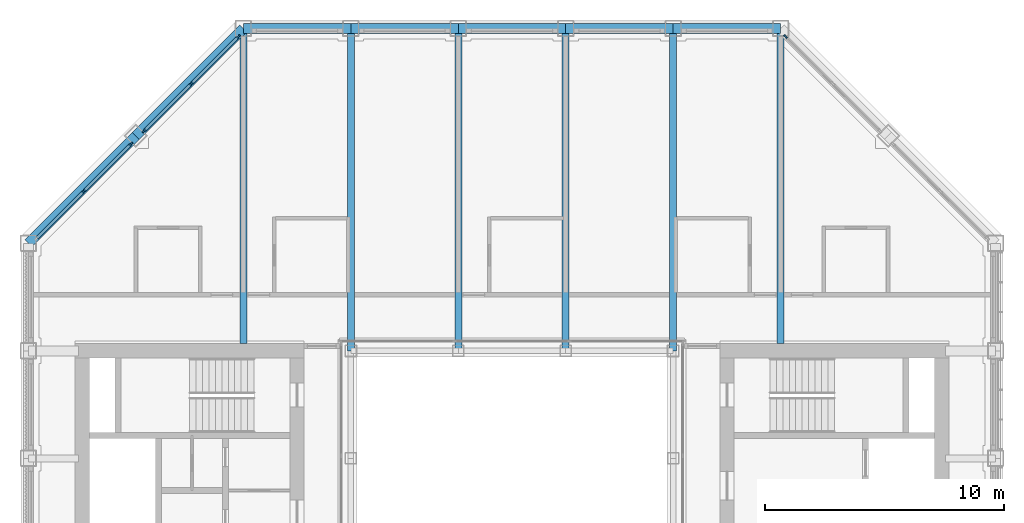
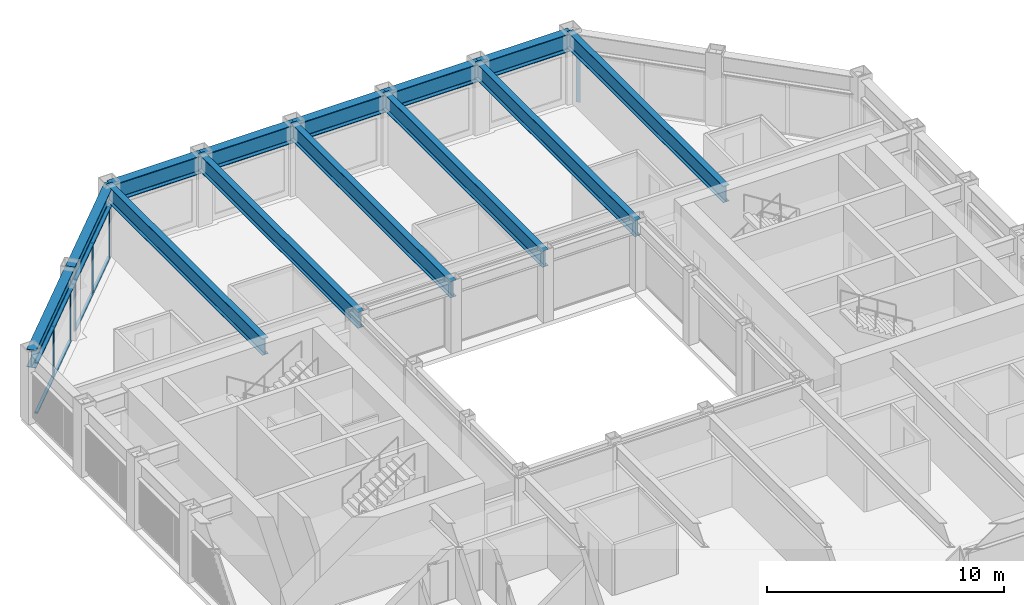
# One storey, part 6 of 16: 14 members, 13 beams, 3 elements without a shape of their own.
"""IFC4 building model written with IfcOpenShell, lengths in metres."""

from ifc_helpers import new_model, si_unit, direction, frame, origin, origin_2d, place, context, subcontext, project, spatial, rectangle, i_section, extrude, material, material_profile, profile_set, type_object, element, aggregate, save


model = new_model("IFC4")

# Units and contexts
model_context = context("Model", 3, precision=1e-05, world=origin(), true_north=direction((0.0, 1.0)))
body_context = subcontext(model_context, "Body", "Model", "MODEL_VIEW")
ifc_project = project(units=[si_unit("LENGTHUNIT", "METRE"), si_unit("AREAUNIT", "SQUARE_METRE"), si_unit("VOLUMEUNIT", "CUBIC_METRE"), si_unit("PLANEANGLEUNIT", "RADIAN"), si_unit("MASSUNIT", "GRAM", prefix="KILO")], contexts=[model_context])

# Site, building, storey
site_placement = place(None, origin())
site = spatial("IfcSite", under=ifc_project, at=site_placement, CompositionType="ELEMENT")
building_placement = place(site_placement, origin())
building = spatial("IfcBuilding", under=site, at=building_placement, Name="Msasa Ring Tower", CompositionType="ELEMENT")
storey_placement = place(building_placement, frame((0.0, 0.0, 212.050048828125)))
storey = spatial("IfcBuildingStorey", under=building, at=storey_placement, Name="L55", CompositionType="ELEMENT", Elevation=212.050048828125)

# Curtain wall, member
ifc_material_1 = material(Name="Aluminium curtain wall with clear glass", Category="aluminium")
curtain_wall_type = type_object("IfcCurtainWallType", Name="CW-C CHAMFER CORNER CURTAIN WALL", PredefinedType="NOTDEFINED", material=ifc_material_1)
curtain_wall_1_placement = place(storey_placement, origin())
curtain_wall_1 = element("IfcCurtainWall", 1, at=curtain_wall_1_placement, inside=storey, type_object=curtain_wall_type, Name="Chamfer corner curtain wall NE L55", PredefinedType="NOTDEFINED")
ifc_material_2 = material(Name="Aluminium mullion", Category="aluminium")
ifc_material_profile_1 = material_profile(ifc_material_2, rectangle(XDim=0.06494140625, YDim=0.179931640625, at=origin_2d()), Name="AL 65x180")
ifc_profile_set_1 = profile_set([ifc_material_profile_1], Name="Aluminium mullion")
member_type_1 = type_object("IfcMemberType", Name="CW-C MULLION 65x180", PredefinedType="MULLION", material=ifc_profile_set_1)
member_1_placement = place(storey_placement, frame((11.453369140625, 19.9052734375, 0.0), z_axis=(0.0, 0.0, 1.0), x_axis=(-0.707106781187, -0.707106781187, 0.0)))
member_1 = element("IfcMember", 2, at=member_1_placement, type_object=member_type_1, Name="CW-C mullion 3", PredefinedType="MULLION", context=body_context, shape_type="SweptSolid", body=[
    extrude(rectangle(XDim=0.06494140625, YDim=0.179931640625, at=origin_2d()), origin(), (0.0, 0.0, 1.0), 2.62890625),
])
aggregate(curtain_wall_1, [member_1])

# Curtain wall, members
curtain_wall_2_placement = place(storey_placement, origin())
curtain_wall_2 = element("IfcCurtainWall", 3, at=curtain_wall_2_placement, inside=storey, type_object=curtain_wall_type, Name="Chamfer corner curtain wall NW L55", PredefinedType="NOTDEFINED")
member_2_placement = place(storey_placement, frame((-15.953369140625, 15.4052734375, 0.0), z_axis=(0.0, 0.0, 1.0), x_axis=(0.707106781187, -0.707106781187, 0.0)))
member_2 = element("IfcMember", 4, at=member_2_placement, type_object=member_type_1, Name="CW-C mullion 1", PredefinedType="MULLION", context=body_context, shape_type="SweptSolid", body=[
    extrude(rectangle(XDim=0.06494140625, YDim=0.179931640625, at=origin_2d()), origin(), (0.0, 0.0, 1.0), 2.62890625),
])
member_3_placement = place(storey_placement, frame((-17.92919921875, 13.42919921875, 0.0), z_axis=(0.0, 0.0, 1.0), x_axis=(0.707106781187, -0.707106781187, 0.0)))
member_3 = element("IfcMember", 5, at=member_3_placement, type_object=member_type_1, Name="CW-C mullion 2", PredefinedType="MULLION", context=body_context, shape_type="SweptSolid", body=[
    extrude(rectangle(XDim=0.06494140625, YDim=0.179931640625, at=origin_2d()), origin(), (0.0, 0.0, 1.0), 2.62890625),
])

curtain_wall_3_placement = place(storey_placement, origin())
curtain_wall_3 = element("IfcCurtainWall", 6, at=curtain_wall_3_placement, inside=storey, type_object=curtain_wall_type, Name="Chamfer corner curtain wall NW L55", PredefinedType="NOTDEFINED")
member_4_placement = place(storey_placement, frame((-11.453369140625, 19.9052734375, 0.0), z_axis=(0.0, 0.0, 1.0), x_axis=(0.707106781187, -0.707106781187, 0.0)))
member_4 = element("IfcMember", 7, at=member_4_placement, type_object=member_type_1, Name="CW-C mullion 1", PredefinedType="MULLION", context=body_context, shape_type="SweptSolid", body=[
    extrude(rectangle(XDim=0.06494140625, YDim=0.179931640625, at=origin_2d()), origin(), (0.0, 0.0, 1.0), 2.62890625),
])
member_5_placement = place(storey_placement, frame((-13.42919921875, 17.92919921875, 0.0), z_axis=(0.0, 0.0, 1.0), x_axis=(0.707106781187, -0.707106781187, 0.0)))
member_5 = element("IfcMember", 8, at=member_5_placement, type_object=member_type_1, Name="CW-C mullion 2", PredefinedType="MULLION", context=body_context, shape_type="SweptSolid", body=[
    extrude(rectangle(XDim=0.06494140625, YDim=0.179931640625, at=origin_2d()), origin(), (0.0, 0.0, 1.0), 2.62890625),
])
member_6_placement = place(storey_placement, frame((-15.4052734375, 15.953369140625, 0.0), z_axis=(0.0, 0.0, 1.0), x_axis=(0.707106781187, -0.707106781187, 0.0)))
member_6 = element("IfcMember", 9, at=member_6_placement, type_object=member_type_1, Name="CW-C mullion 3", PredefinedType="MULLION", context=body_context, shape_type="SweptSolid", body=[
    extrude(rectangle(XDim=0.06494140625, YDim=0.179931640625, at=origin_2d()), origin(), (0.0, 0.0, 1.0), 2.62890625),
])

# Member
ifc_material_3 = material(Name="Aluminium transom", Category="aluminium")
ifc_material_profile_2 = material_profile(ifc_material_3, rectangle(XDim=0.139892578125, YDim=0.06494140625, at=origin_2d()), Name="AL 65x140")
ifc_profile_set_2 = profile_set([ifc_material_profile_2], Name="Aluminium transom")
member_type_2 = type_object("IfcMemberType", Name="CW-C TRANSOM 65x140", PredefinedType="USERDEFINED", material=ifc_profile_set_2)
member_7_placement = place(storey_placement, frame((-15.976318359375, 15.38232421875, 0.032470703125), z_axis=(-0.707106781187, -0.707106781187, 0.0), x_axis=(0.707106781187, -0.707106781187, 0.0)))
member_7 = element("IfcMember", 10, at=member_7_placement, type_object=member_type_2, Name="CW-C transom 1.1", ObjectType="TRANSOM", PredefinedType="USERDEFINED", context=body_context, shape_type="SweptSolid", body=[
    extrude(rectangle(XDim=0.139892578125, YDim=0.06494140625, at=origin_2d()), origin(), (0.0, 0.0, 1.0), 2.729248046875),
])

member_8_placement = place(storey_placement, frame((-15.976318359375, 15.38232421875, 2.596435546875), z_axis=(-0.707106781187, -0.707106781187, 0.0), x_axis=(0.707106781187, -0.707106781187, 0.0)))
member_8 = element("IfcMember", 11, at=member_8_placement, type_object=member_type_2, Name="CW-C transom 1.2", ObjectType="TRANSOM", PredefinedType="USERDEFINED", context=body_context, shape_type="SweptSolid", body=[
    extrude(rectangle(XDim=0.139892578125, YDim=0.06494140625, at=origin_2d()), origin(), (0.0, 0.0, 1.0), 2.729248046875),
])

member_9_placement = place(storey_placement, frame((-17.952392578125, 13.40625, 0.032470703125), z_axis=(-0.707106781187, -0.707106781187, 0.0), x_axis=(0.707106781187, -0.707106781187, 0.0)))
member_9 = element("IfcMember", 12, at=member_9_placement, type_object=member_type_2, Name="CW-C transom 2.1", ObjectType="TRANSOM", PredefinedType="USERDEFINED", context=body_context, shape_type="SweptSolid", body=[
    extrude(rectangle(XDim=0.139892578125, YDim=0.06494140625, at=origin_2d()), origin(), (0.0, 0.0, 1.0), 2.729248046875),
])

member_10_placement = place(storey_placement, frame((-17.952392578125, 13.40625, 2.596435546875), z_axis=(-0.707106781187, -0.707106781187, 0.0), x_axis=(0.707106781187, -0.707106781187, 0.0)))
member_10 = element("IfcMember", 13, at=member_10_placement, type_object=member_type_2, Name="CW-C transom 2.2", ObjectType="TRANSOM", PredefinedType="USERDEFINED", context=body_context, shape_type="SweptSolid", body=[
    extrude(rectangle(XDim=0.139892578125, YDim=0.06494140625, at=origin_2d()), origin(), (0.0, 0.0, 1.0), 2.729248046875),
])

aggregate(curtain_wall_2, [member_2, member_3, member_7, member_8, member_9, member_10])

member_11_placement = place(storey_placement, frame((-11.476318359375, 19.88232421875, 0.032470703125), z_axis=(-0.707106781187, -0.707106781187, 0.0), x_axis=(0.707106781187, -0.707106781187, 0.0)))
member_11 = element("IfcMember", 14, at=member_11_placement, type_object=member_type_2, Name="CW-C transom 1.1", ObjectType="TRANSOM", PredefinedType="USERDEFINED", context=body_context, shape_type="SweptSolid", body=[
    extrude(rectangle(XDim=0.139892578125, YDim=0.06494140625, at=origin_2d()), origin(), (0.0, 0.0, 1.0), 2.729248046875),
])

member_12_placement = place(storey_placement, frame((-11.476318359375, 19.88232421875, 2.596435546875), z_axis=(-0.707106781187, -0.707106781187, 0.0), x_axis=(0.707106781187, -0.707106781187, 0.0)))
member_12 = element("IfcMember", 15, at=member_12_placement, type_object=member_type_2, Name="CW-C transom 1.2", ObjectType="TRANSOM", PredefinedType="USERDEFINED", context=body_context, shape_type="SweptSolid", body=[
    extrude(rectangle(XDim=0.139892578125, YDim=0.06494140625, at=origin_2d()), origin(), (0.0, 0.0, 1.0), 2.729248046875),
])

member_13_placement = place(storey_placement, frame((-13.452392578125, 17.90625, 0.032470703125), z_axis=(-0.707106781187, -0.707106781187, 0.0), x_axis=(0.707106781187, -0.707106781187, 0.0)))
member_13 = element("IfcMember", 16, at=member_13_placement, type_object=member_type_2, Name="CW-C transom 2.1", ObjectType="TRANSOM", PredefinedType="USERDEFINED", context=body_context, shape_type="SweptSolid", body=[
    extrude(rectangle(XDim=0.139892578125, YDim=0.06494140625, at=origin_2d()), origin(), (0.0, 0.0, 1.0), 2.729248046875),
])

member_14_placement = place(storey_placement, frame((-13.452392578125, 17.90625, 2.596435546875), z_axis=(-0.707106781187, -0.707106781187, 0.0), x_axis=(0.707106781187, -0.707106781187, 0.0)))
member_14 = element("IfcMember", 17, at=member_14_placement, type_object=member_type_2, Name="CW-C transom 2.2", ObjectType="TRANSOM", PredefinedType="USERDEFINED", context=body_context, shape_type="SweptSolid", body=[
    extrude(rectangle(XDim=0.139892578125, YDim=0.06494140625, at=origin_2d()), origin(), (0.0, 0.0, 1.0), 2.729248046875),
])

aggregate(curtain_wall_3, [member_4, member_5, member_6, member_11, member_12, member_13, member_14])

# Beams
ifc_material_4 = material(Name="Steel S355", Category="steel")
ifc_material_profile_3 = material_profile(ifc_material_4, i_section(OverallWidth=0.293701171875, OverallDepth=0.850830078125, WebThickness=0.01611328125, FlangeThickness=0.02685546875, FilletRadius=0.017822265625, at=origin_2d()), Name="UB 838x292x226")
ifc_profile_set_3 = profile_set([ifc_material_profile_3], Name="Steel S355")
beam_type_1 = type_object("IfcBeamType", Name="FB5 UB 838x292x226", PredefinedType="BEAM", material=ifc_profile_set_3)
beam_1_placement = place(storey_placement, frame((-11.25, 20.25, 3.12451171875), z_axis=(0.0, -1.0, 0.0), x_axis=(1.0, 0.0, 0.0)))
element("IfcBeam", 18, at=beam_1_placement, inside=storey, type_object=beam_type_1, Name="Floor beam N-11.25 under L56", PredefinedType="BEAM", context=body_context, shape_type="SweptSolid", body=[
    extrude(i_section(OverallWidth=0.293701171875, OverallDepth=0.850830078125, WebThickness=0.01611328125, FlangeThickness=0.02685546875, FilletRadius=0.017822265625, at=origin_2d()), origin(), (0.0, 0.0, 1.0), 13.199951171875),
])
for number, where, z_axis, x_axis, name in (
    (19, (-6.75, 20.25, 3.12451171875), (0.0, -1.0, 0.0), (1.0, 0.0, 0.0), "Floor beam N-6.75 under L56"),
    (20, (-2.25, 20.25, 3.12451171875), (0.0, -1.0, 0.0), (1.0, 0.0, 0.0), "Floor beam N-2.25 under L56"),
    (21, (2.25, 20.25, 3.12451171875), (0.0, -1.0, 0.0), (1.0, 0.0, 0.0), "Floor beam N+2.25 under L56"),
    (22, (6.75, 20.25, 3.12451171875), (0.0, -1.0, 0.0), (1.0, 0.0, 0.0), "Floor beam N+6.75 under L56"),
):
    element("IfcBeam", number, at=place(storey_placement, frame(where, z_axis=z_axis, x_axis=x_axis)), inside=storey, type_object=beam_type_1, Name=name, PredefinedType="BEAM", context=body_context, shape_type="SweptSolid", body=[
        extrude(i_section(OverallWidth=0.293701171875, OverallDepth=0.850830078125, WebThickness=0.01611328125, FlangeThickness=0.02685546875, FilletRadius=0.017822265625, at=origin_2d()), origin(), (0.0, 0.0, 1.0), 13.5),
    ])
beam_2_placement = place(storey_placement, frame((11.25, 20.25, 3.12451171875), z_axis=(0.0, -1.0, 0.0), x_axis=(1.0, 0.0, 0.0)))
element("IfcBeam", 23, at=beam_2_placement, inside=storey, type_object=beam_type_1, Name="Floor beam N+11.25 under L56", PredefinedType="BEAM", context=body_context, shape_type="SweptSolid", body=[
    extrude(i_section(OverallWidth=0.293701171875, OverallDepth=0.850830078125, WebThickness=0.01611328125, FlangeThickness=0.02685546875, FilletRadius=0.017822265625, at=origin_2d()), origin(), (0.0, 0.0, 1.0), 13.199951171875),
])
ifc_material_5 = material(Name="Steel S355", Category="steel")
ifc_material_profile_4 = material_profile(ifc_material_5, i_section(OverallWidth=0.42041015625, OverallDepth=0.9208984375, WebThickness=0.021484375, FlangeThickness=0.03662109375, FilletRadius=0.024169921875, at=origin_2d()), Name="UB 914x419x388")
ifc_profile_set_4 = profile_set([ifc_material_profile_4], Name="Steel S355")
beam_type_2 = type_object("IfcBeamType", Name="SB1 UB 914x419x388", PredefinedType="SPANDREL", material=ifc_profile_set_4)
for number, where, z_axis, x_axis, name in (
    (24, (11.25, 20.25, 3.08935546875), (-1.0, 0.0, 0.0), (0.0, -1.0, 0.0), "Spandrel N+11.25 to N+6.75 under L56"),
    (25, (6.75, 20.25, 3.08935546875), (-1.0, 0.0, 0.0), (0.0, -1.0, 0.0), "Spandrel N+6.75 to N+2.25 under L56"),
    (26, (2.25, 20.25, 3.08935546875), (-1.0, 0.0, 0.0), (0.0, -1.0, 0.0), "Spandrel N+2.25 to N-2.25 under L56"),
    (27, (-2.25, 20.25, 3.08935546875), (-1.0, 0.0, 0.0), (0.0, -1.0, 0.0), "Spandrel N-2.25 to N-6.75 under L56"),
    (28, (-6.75, 20.25, 3.08935546875), (-1.0, 0.0, 0.0), (0.0, -1.0, 0.0), "Spandrel N-6.75 to N-11.25 under L56"),
):
    element("IfcBeam", number, at=place(storey_placement, frame(where, z_axis=z_axis, x_axis=x_axis)), inside=storey, type_object=beam_type_2, Name=name, PredefinedType="SPANDREL", context=body_context, shape_type="SweptSolid", body=[
        extrude(i_section(OverallWidth=0.42041015625, OverallDepth=0.9208984375, WebThickness=0.021484375, FlangeThickness=0.03662109375, FilletRadius=0.024169921875, at=origin_2d()), origin(), (0.0, 0.0, 1.0), 4.5),
    ])
for number, where, z_axis, x_axis, name in (
    (29, (-11.25, 20.25, 3.08935546875), (-0.707106781187, -0.707106781187, 0.0), (0.707106781187, -0.707106781187, 0.0), "Spandrel N-11.25 to NW under L56"),
    (30, (-15.75, 15.75, 3.08935546875), (-0.707106781187, -0.707106781187, 0.0), (0.707106781187, -0.707106781187, 0.0), "Spandrel NW to W+11.25 under L56"),
):
    element("IfcBeam", number, at=place(storey_placement, frame(where, z_axis=z_axis, x_axis=x_axis)), inside=storey, type_object=beam_type_2, Name=name, PredefinedType="SPANDREL", context=body_context, shape_type="SweptSolid", body=[
        extrude(i_section(OverallWidth=0.42041015625, OverallDepth=0.9208984375, WebThickness=0.021484375, FlangeThickness=0.03662109375, FilletRadius=0.024169921875, at=origin_2d()), origin(), (0.0, 0.0, 1.0), 6.364013671875),
    ])

save(model, "model.ifc")
